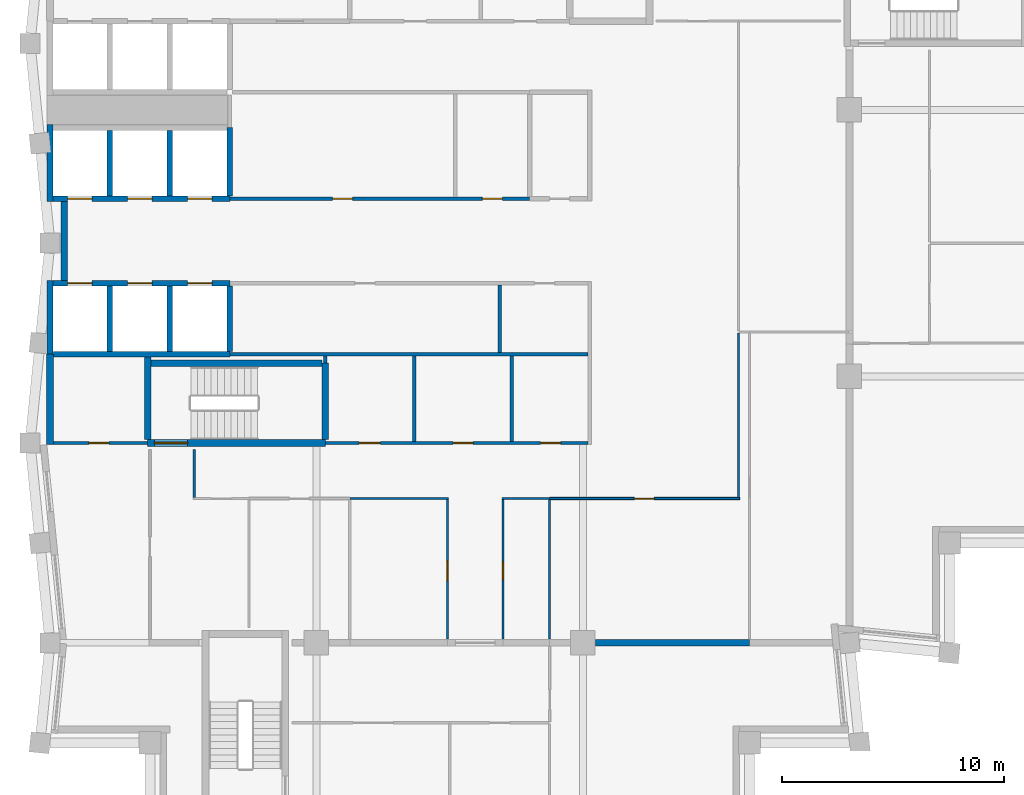
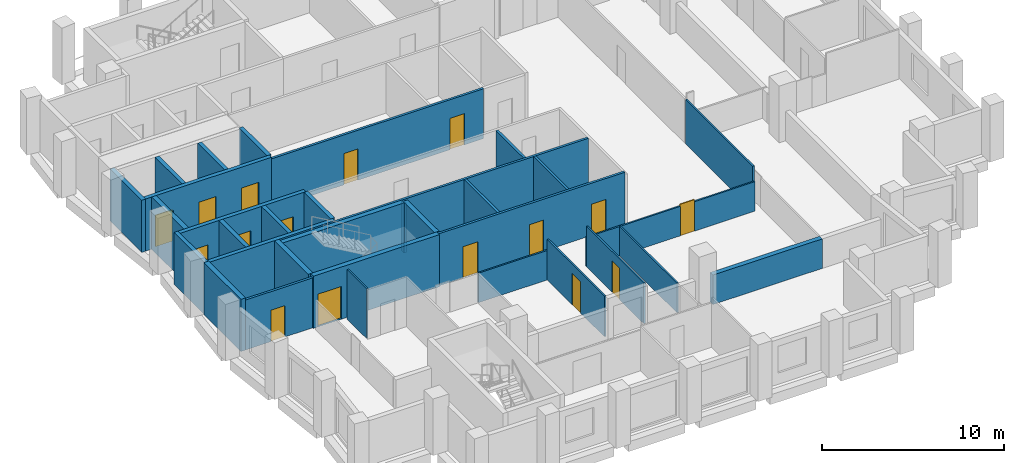
# One storey, part 3 of 7: 34 walls, 16 doors, 16 openings.
"""IFC4 building model written with IfcOpenShell, lengths in metres."""

from ifc_helpers import new_model, si_unit, direction, frame, frame_2d, origin, place, context, subcontext, project, spatial, rectangle, extrude, material, layer, layer_set, type_object, element, fill, save


model = new_model("IFC4")

# Units and contexts
model_context = context("Model", 3, precision=1e-05, world=origin(), true_north=direction((0.0, 1.0)))
body_context = subcontext(model_context, "Body", "Model", "MODEL_VIEW")
ifc_project = project(units=[si_unit("LENGTHUNIT", "METRE"), si_unit("AREAUNIT", "SQUARE_METRE"), si_unit("VOLUMEUNIT", "CUBIC_METRE"), si_unit("PLANEANGLEUNIT", "RADIAN"), si_unit("MASSUNIT", "GRAM", prefix="KILO")], contexts=[model_context])

# Site, building, storey
site_placement = place(None, origin())
site = spatial("IfcSite", under=ifc_project, at=site_placement, CompositionType="ELEMENT")
building_placement = place(site_placement, origin())
building = spatial("IfcBuilding", under=site, at=building_placement, Name="Brondeck Convention Tower", CompositionType="ELEMENT")
storey_placement = place(building_placement, frame((0.0, 0.0, 275.199951171875)))
storey = spatial("IfcBuildingStorey", under=building, at=storey_placement, Name="L68", CompositionType="ELEMENT", Elevation=275.199951171875)

# Wall
ifc_material_1 = material(Name="Concrete compartment wall C30/37", Category="concrete")
ifc_layer_1 = layer(ifc_material_1, 0.300048828125)
ifc_layer_set_1 = layer_set([ifc_layer_1], Name="Compartment wall 300")
wall_type_1 = type_object("IfcWallType", Name="Compartment wall 300", PredefinedType="PARTITIONING", material=ifc_layer_set_1)
wall_1_placement = place(storey_placement, frame((24.554931640625, 27.0, 0.0), z_axis=(0.0, 0.0, 1.0), x_axis=(1.0, 0.0, 0.0)))
element("IfcWall", 1, at=wall_1_placement, inside=storey, type_object=wall_type_1, Name="FLR-L68-W018", PredefinedType="PARTITIONING", context=body_context, shape_type="SweptSolid", body=[
    extrude(rectangle(XDim=6.945068359375, YDim=0.300048828125, at=frame_2d((3.47265625, 0.0))), origin(), (0.0, 0.0, 1.0), 1.97998046875),
])

# Wall, openings, doors
ifc_material_2 = material(Name="Concrete C50/60", Category="concrete")
ifc_layer_2 = layer(ifc_material_2, 0.14990234375)
ifc_layer_set_2 = layer_set([ifc_layer_2], Name="Core beam-seat wall 150 Concrete C50/60")
wall_type_2 = type_object("IfcWallType", Name="Core beam-seat wall 150 Concrete C50/60", PredefinedType="SHEAR", material=ifc_layer_set_2)
wall_2_placement = place(storey_placement, frame((12.39990234375, 36.0, 0.0), z_axis=(0.0, 0.0, 1.0), x_axis=(1.0, 0.0, 0.0)))
wall_2 = element("IfcWall", 2, at=wall_2_placement, inside=storey, type_object=wall_type_2, Name="L68 core wall", PredefinedType="SHEAR", context=body_context, shape_type="SweptSolid", body=[
    extrude(rectangle(XDim=11.8251953125, YDim=0.14990234375, at=frame_2d((5.91259765625, 0.0))), origin(), (0.0, 0.0, 1.0), 3.5),
])
opening_1_placement = place(wall_2_placement, frame((1.52490234375, 0.0, 0.0)))
opening_1 = element("IfcOpeningElement", 3, at=opening_1_placement, cuts=wall_2, Name="Opening C38-03", PredefinedType="OPENING", context=body_context, shape_type="SweptSolid", body=[
    extrude(rectangle(XDim=0.949951171875, YDim=2.10009765625, at=frame_2d((0.47509765625, 1.050048828125))), frame((0.0, 0.0849609375, 0.0), z_axis=(0.0, -1.0, 0.0), x_axis=(1.0, 0.0, 0.0)), (0.0, 0.0, 1.0), 0.169921875),
])
opening_2_placement = place(wall_2_placement, frame((5.75, 0.0, 0.0)))
opening_2 = element("IfcOpeningElement", 4, at=opening_2_placement, cuts=wall_2, Name="Opening C38-04", PredefinedType="OPENING", context=body_context, shape_type="SweptSolid", body=[
    extrude(rectangle(XDim=0.89990234375, YDim=2.10009765625, at=frame_2d((0.449951171875, 1.050048828125))), frame((0.0, 0.0849609375, 0.0), z_axis=(0.0, -1.0, 0.0), x_axis=(1.0, 0.0, 0.0)), (0.0, 0.0, 1.0), 0.169921875),
])
opening_3_placement = place(wall_2_placement, frame((9.699951171875, 0.0, 0.0)))
opening_3 = element("IfcOpeningElement", 5, at=opening_3_placement, cuts=wall_2, Name="Opening C38-05", PredefinedType="OPENING", context=body_context, shape_type="SweptSolid", body=[
    extrude(rectangle(XDim=0.89990234375, YDim=2.10009765625, at=frame_2d((0.449951171875, 1.050048828125))), frame((0.0, 0.0849609375, 0.0), z_axis=(0.0, -1.0, 0.0), x_axis=(1.0, 0.0, 0.0)), (0.0, 0.0, 1.0), 0.169921875),
])
ifc_material_3 = material(Name="Steel fire door", Category="steel")
door_type_1 = type_object("IfcDoorType", Name="Room door 900x2100 EI 60", OperationType="NOTDEFINED", PredefinedType="DOOR", material=ifc_material_3)
door_1_placement = place(opening_2_placement, origin())
door_1 = element("IfcDoor", 6, at=door_1_placement, inside=storey, type_object=door_type_1, Name="L68 Room door FR-2", OperationType="SINGLE_SWING_LEFT", OverallHeight=2.10009765625, OverallWidth=0.89990234375, PredefinedType="DOOR", context=body_context, shape_type="SweptSolid", body=[
    extrude(rectangle(XDim=0.89990234375, YDim=2.10009765625, at=frame_2d((0.449951171875, 1.050048828125))), frame((0.0, 0.02490234375, 0.0), z_axis=(0.0, -1.0, 0.0), x_axis=(1.0, 0.0, 0.0)), (0.0, 0.0, 1.0), 0.050048828125),
])
fill(opening_2, door_1)
door_2_placement = place(opening_3_placement, origin())
door_2 = element("IfcDoor", 7, at=door_2_placement, inside=storey, type_object=door_type_1, Name="L68 Room door FR-3", OperationType="SINGLE_SWING_RIGHT", OverallHeight=2.10009765625, OverallWidth=0.89990234375, PredefinedType="DOOR", context=body_context, shape_type="SweptSolid", body=[
    extrude(rectangle(XDim=0.89990234375, YDim=2.10009765625, at=frame_2d((0.449951171875, 1.050048828125))), frame((0.0, 0.02490234375, 0.0), z_axis=(0.0, -1.0, 0.0), x_axis=(1.0, 0.0, 0.0)), (0.0, 0.0, 1.0), 0.050048828125),
])
fill(opening_3, door_2)
door_type_2 = type_object("IfcDoorType", Name="Room door 950x2100 EI 60", OperationType="NOTDEFINED", PredefinedType="DOOR", material=ifc_material_3)
door_3_placement = place(opening_1_placement, origin())
door_3 = element("IfcDoor", 8, at=door_3_placement, inside=storey, type_object=door_type_2, Name="L68 Room door FR-1", OperationType="SINGLE_SWING_RIGHT", OverallHeight=2.10009765625, OverallWidth=0.949951171875, PredefinedType="DOOR", context=body_context, shape_type="SweptSolid", body=[
    extrude(rectangle(XDim=0.949951171875, YDim=2.10009765625, at=frame_2d((0.47509765625, 1.050048828125))), frame((0.0, 0.02490234375, 0.0), z_axis=(0.0, -1.0, 0.0), x_axis=(1.0, 0.0, 0.0)), (0.0, 0.0, 1.0), 0.050048828125),
])
fill(opening_1, door_3)

# Walls
ifc_layer_3 = layer(ifc_material_2, 0.300048828125)
ifc_layer_set_3 = layer_set([ifc_layer_3], Name="Core outer wall 300 Concrete C50/60")
wall_type_3 = type_object("IfcWallType", Name="Core outer wall 300 Concrete C50/60", PredefinedType="SHEAR", material=ifc_layer_set_3)
wall_3_placement = place(storey_placement, frame((0.0, 35.925048828125, 0.0), z_axis=(0.0, 0.0, 1.0), x_axis=(0.0, 1.0, 0.0)))
element("IfcWall", 9, at=wall_3_placement, inside=storey, type_object=wall_type_3, Name="L68 core wall", PredefinedType="SHEAR", context=body_context, shape_type="SweptSolid", body=[
    extrude(rectangle(XDim=4.074951171875, YDim=0.300048828125, at=frame_2d((2.03759765625, 0.0))), origin(), (0.0, 0.0, 1.0), 3.5),
])
wall_4_placement = place(storey_placement, frame((0.64990234375, 43.324951171875, 0.0), z_axis=(0.0, 0.0, 1.0), x_axis=(0.0, 1.0, 0.0)))
element("IfcWall", 10, at=wall_4_placement, inside=storey, type_object=wall_type_3, Name="L68 core wall", PredefinedType="SHEAR", context=body_context, shape_type="SweptSolid", body=[
    extrude(rectangle(XDim=3.550048828125, YDim=0.300048828125, at=frame_2d((1.77490234375, 0.0))), origin(), (0.0, 0.0, 1.0), 3.5),
])

# Wall, opening, door
ifc_material_4 = material(Name="Fire-rated gypsum board partition")
ifc_layer_4 = layer(ifc_material_4, 0.14990234375)
ifc_layer_set_4 = layer_set([ifc_layer_4], Name="Core partition 150 EI 60")
wall_type_4 = type_object("IfcWallType", Name="Core partition 150 EI 60", PredefinedType="PARTITIONING", material=ifc_layer_set_4)
wall_5_placement = place(storey_placement, frame((0.14990234375, 36.0, 0.0), z_axis=(0.0, 0.0, 1.0), x_axis=(1.0, 0.0, 0.0)))
wall_5 = element("IfcWall", 11, at=wall_5_placement, inside=storey, type_object=wall_type_4, Name="L68 core wall", PredefinedType="PARTITIONING", context=body_context, shape_type="SweptSolid", body=[
    extrude(rectangle(XDim=4.25, YDim=0.14990234375, at=frame_2d((2.125, 0.0))), origin(), (0.0, 0.0, 1.0), 3.35009765625),
])
opening_4_placement = place(wall_5_placement, frame((1.60009765625, 0.0, 0.0)))
opening_4 = element("IfcOpeningElement", 12, at=opening_4_placement, cuts=wall_5, Name="Opening C38-06", PredefinedType="OPENING", context=body_context, shape_type="SweptSolid", body=[
    extrude(rectangle(XDim=0.89990234375, YDim=2.10009765625, at=frame_2d((0.449951171875, 1.050048828125))), frame((0.0, 0.0849609375, 0.0), z_axis=(0.0, -1.0, 0.0), x_axis=(1.0, 0.0, 0.0)), (0.0, 0.0, 1.0), 0.169921875),
])
door_4_placement = place(opening_4_placement, origin())
door_4 = element("IfcDoor", 13, at=door_4_placement, inside=storey, type_object=door_type_1, Name="L68 Room door FRW-1", OperationType="SINGLE_SWING_LEFT", OverallHeight=2.10009765625, OverallWidth=0.89990234375, PredefinedType="DOOR", context=body_context, shape_type="SweptSolid", body=[
    extrude(rectangle(XDim=0.89990234375, YDim=2.10009765625, at=frame_2d((0.449951171875, 1.050048828125))), frame((0.0, 0.02490234375, 0.0), z_axis=(0.0, -1.0, 0.0), x_axis=(1.0, 0.0, 0.0)), (0.0, 0.0, 1.0), 0.050048828125),
])
fill(opening_4, door_4)

# Wall
wall_6_placement = place(storey_placement, frame((8.10009765625, 40.0, 0.0), z_axis=(0.0, 0.0, 1.0), x_axis=(1.0, 0.0, 0.0)))
element("IfcWall", 14, at=wall_6_placement, inside=storey, type_object=wall_type_4, Name="L68 core wall", PredefinedType="PARTITIONING", context=body_context, shape_type="SweptSolid", body=[
    extrude(rectangle(XDim=16.125, YDim=0.14990234375, at=frame_2d((8.0625, 0.0))), origin(), (0.0, 0.0, 1.0), 3.35009765625),
])

# Wall, openings, doors
wall_7_placement = place(storey_placement, frame((8.10009765625, 47.0, 0.0), z_axis=(0.0, 0.0, 1.0), x_axis=(1.0, 0.0, 0.0)))
wall_7 = element("IfcWall", 15, at=wall_7_placement, inside=storey, type_object=wall_type_4, Name="L68 core wall", PredefinedType="PARTITIONING", context=body_context, shape_type="SweptSolid", body=[
    extrude(rectangle(XDim=13.5, YDim=0.14990234375, at=frame_2d((6.75, 0.0))), origin(), (0.0, 0.0, 1.0), 3.35009765625),
])
opening_5_placement = place(wall_7_placement, frame((4.625, 0.0, 0.0)))
opening_5 = element("IfcOpeningElement", 16, at=opening_5_placement, cuts=wall_7, Name="Opening C38-07", PredefinedType="OPENING", context=body_context, shape_type="SweptSolid", body=[
    extrude(rectangle(XDim=0.89990234375, YDim=2.10009765625, at=frame_2d((0.449951171875, 1.050048828125))), frame((0.0, 0.0849609375, 0.0), z_axis=(0.0, -1.0, 0.0), x_axis=(1.0, 0.0, 0.0)), (0.0, 0.0, 1.0), 0.169921875),
])
opening_6_placement = place(wall_7_placement, frame((11.375, 0.0, 0.0)))
opening_6 = element("IfcOpeningElement", 17, at=opening_6_placement, cuts=wall_7, Name="Opening C38-08", PredefinedType="OPENING", context=body_context, shape_type="SweptSolid", body=[
    extrude(rectangle(XDim=0.89990234375, YDim=2.10009765625, at=frame_2d((0.449951171875, 1.050048828125))), frame((0.0, 0.0849609375, 0.0), z_axis=(0.0, -1.0, 0.0), x_axis=(1.0, 0.0, 0.0)), (0.0, 0.0, 1.0), 0.169921875),
])
door_5_placement = place(opening_5_placement, origin())
door_5 = element("IfcDoor", 18, at=door_5_placement, inside=storey, type_object=door_type_1, Name="L68 Room door FZ-N-8.1-1", OperationType="SINGLE_SWING_LEFT", OverallHeight=2.10009765625, OverallWidth=0.89990234375, PredefinedType="DOOR", context=body_context, shape_type="SweptSolid", body=[
    extrude(rectangle(XDim=0.89990234375, YDim=2.10009765625, at=frame_2d((0.449951171875, 1.050048828125))), frame((0.0, 0.02490234375, 0.0), z_axis=(0.0, -1.0, 0.0), x_axis=(1.0, 0.0, 0.0)), (0.0, 0.0, 1.0), 0.050048828125),
])
fill(opening_5, door_5)
door_6_placement = place(opening_6_placement, origin())
door_6 = element("IfcDoor", 19, at=door_6_placement, inside=storey, type_object=door_type_1, Name="L68 Room door FZ-N-8.1-2", OperationType="SINGLE_SWING_RIGHT", OverallHeight=2.10009765625, OverallWidth=0.89990234375, PredefinedType="DOOR", context=body_context, shape_type="SweptSolid", body=[
    extrude(rectangle(XDim=0.89990234375, YDim=2.10009765625, at=frame_2d((0.449951171875, 1.050048828125))), frame((0.0, 0.02490234375, 0.0), z_axis=(0.0, -1.0, 0.0), x_axis=(1.0, 0.0, 0.0)), (0.0, 0.0, 1.0), 0.050048828125),
])
fill(opening_6, door_6)

# Walls
wall_8_placement = place(storey_placement, frame((12.39990234375, 39.60009765625, 0.0), z_axis=(0.0, 0.0, 1.0), x_axis=(0.0, 1.0, 0.0)))
element("IfcWall", 20, at=wall_8_placement, inside=storey, type_object=wall_type_4, Name="L68 core wall", PredefinedType="PARTITIONING", context=body_context, shape_type="SweptSolid", body=[
    extrude(rectangle(XDim=0.324951171875, YDim=0.14990234375, at=frame_2d((0.16259765625, 0.0))), origin(), (0.0, 0.0, 1.0), 3.35009765625),
])
wall_9_placement = place(storey_placement, frame((16.39990234375, 36.074951171875, 0.0), z_axis=(0.0, 0.0, 1.0), x_axis=(0.0, 1.0, 0.0)))
element("IfcWall", 21, at=wall_9_placement, inside=storey, type_object=wall_type_4, Name="L68 core wall", PredefinedType="PARTITIONING", context=body_context, shape_type="SweptSolid", body=[
    extrude(rectangle(XDim=3.85009765625, YDim=0.14990234375, at=frame_2d((1.925048828125, 0.0))), origin(), (0.0, 0.0, 1.0), 3.35009765625),
])
wall_10_placement = place(storey_placement, frame((20.25, 40.074951171875, 0.0), z_axis=(0.0, 0.0, 1.0), x_axis=(0.0, 1.0, 0.0)))
element("IfcWall", 22, at=wall_10_placement, inside=storey, type_object=wall_type_4, Name="L68 core wall", PredefinedType="PARTITIONING", context=body_context, shape_type="SweptSolid", body=[
    extrude(rectangle(XDim=3.050048828125, YDim=0.14990234375, at=frame_2d((1.52490234375, 0.0))), origin(), (0.0, 0.0, 1.0), 3.35009765625),
])
wall_11_placement = place(storey_placement, frame((20.800048828125, 36.074951171875, 0.0), z_axis=(0.0, 0.0, 1.0), x_axis=(0.0, 1.0, 0.0)))
element("IfcWall", 23, at=wall_11_placement, inside=storey, type_object=wall_type_4, Name="L68 core wall", PredefinedType="PARTITIONING", context=body_context, shape_type="SweptSolid", body=[
    extrude(rectangle(XDim=3.85009765625, YDim=0.14990234375, at=frame_2d((1.925048828125, 0.0))), origin(), (0.0, 0.0, 1.0), 3.35009765625),
])
ifc_layer_5 = layer(ifc_material_2, 0.25)
ifc_layer_set_5 = layer_set([ifc_layer_5], Name="Lift shaft wall 250 Concrete C50/60")
wall_type_5 = type_object("IfcWallType", Name="Lift shaft wall 250 Concrete C50/60", PredefinedType="SHEAR", material=ifc_layer_set_5)
wall_12_placement = place(storey_placement, frame((0.14990234375, 40.0, 0.0), z_axis=(0.0, 0.0, 1.0), x_axis=(1.0, 0.0, 0.0)))
element("IfcWall", 24, at=wall_12_placement, inside=storey, type_object=wall_type_5, Name="L68 core wall", PredefinedType="SHEAR", context=body_context, shape_type="SweptSolid", body=[
    extrude(rectangle(XDim=7.9501953125, YDim=0.25, at=frame_2d((3.97509765625, 0.0))), origin(), (0.0, 0.0, 1.0), 3.5),
])

# Wall, openings, doors
wall_13_placement = place(storey_placement, frame((0.125, 43.199951171875, 0.0), z_axis=(0.0, 0.0, 1.0), x_axis=(1.0, 0.0, 0.0)))
wall_13 = element("IfcWall", 25, at=wall_13_placement, inside=storey, type_object=wall_type_5, Name="L68 core wall", PredefinedType="SHEAR", context=body_context, shape_type="SweptSolid", body=[
    extrude(rectangle(XDim=7.97509765625, YDim=0.25, at=frame_2d((3.987548828125, 0.0))), origin(), (0.0, 0.0, 1.0), 3.5),
])
opening_7_placement = place(wall_13_placement, frame((0.675048828125, 0.0, 0.0)))
opening_7 = element("IfcOpeningElement", 26, at=opening_7_placement, cuts=wall_13, Name="Opening C38-21", PredefinedType="OPENING", context=body_context, shape_type="SweptSolid", body=[
    extrude(rectangle(XDim=1.10009765625, YDim=2.10009765625, at=frame_2d((0.550048828125, 1.050048828125))), frame((0.0, 0.135009765625, 0.0), z_axis=(0.0, -1.0, 0.0), x_axis=(1.0, 0.0, 0.0)), (0.0, 0.0, 1.0), 0.27001953125),
])
opening_8_placement = place(wall_13_placement, frame((3.375, 0.0, 0.0)))
opening_8 = element("IfcOpeningElement", 27, at=opening_8_placement, cuts=wall_13, Name="Opening C38-22", PredefinedType="OPENING", context=body_context, shape_type="SweptSolid", body=[
    extrude(rectangle(XDim=1.10009765625, YDim=2.10009765625, at=frame_2d((0.550048828125, 1.050048828125))), frame((0.0, 0.135009765625, 0.0), z_axis=(0.0, -1.0, 0.0), x_axis=(1.0, 0.0, 0.0)), (0.0, 0.0, 1.0), 0.27001953125),
])
opening_9_placement = place(wall_13_placement, frame((6.074951171875, 0.0, 0.0)))
opening_9 = element("IfcOpeningElement", 28, at=opening_9_placement, cuts=wall_13, Name="Opening C38-23", PredefinedType="OPENING", context=body_context, shape_type="SweptSolid", body=[
    extrude(rectangle(XDim=1.10009765625, YDim=2.10009765625, at=frame_2d((0.550048828125, 1.050048828125))), frame((0.0, 0.135009765625, 0.0), z_axis=(0.0, -1.0, 0.0), x_axis=(1.0, 0.0, 0.0)), (0.0, 0.0, 1.0), 0.27001953125),
])
ifc_material_5 = material(Name="Stainless steel lift door", Category="steel")
door_type_3 = type_object("IfcDoorType", Name="Lift landing door 1100x2100 EI 180", OperationType="DOUBLE_DOOR_SLIDING", PredefinedType="DOOR", material=ifc_material_5)
door_7_placement = place(opening_7_placement, origin())
door_7 = element("IfcDoor", 29, at=door_7_placement, inside=storey, type_object=door_type_3, Name="L68 Lift landing door HR1", OperationType="DOUBLE_DOOR_SLIDING", OverallHeight=2.10009765625, OverallWidth=1.10009765625, PredefinedType="DOOR", context=body_context, shape_type="SweptSolid", body=[
    extrude(rectangle(XDim=1.10009765625, YDim=2.10009765625, at=frame_2d((0.550048828125, 1.050048828125))), frame((0.0, 0.02490234375, 0.0), z_axis=(0.0, -1.0, 0.0), x_axis=(1.0, 0.0, 0.0)), (0.0, 0.0, 1.0), 0.050048828125),
])
fill(opening_7, door_7)
door_8_placement = place(opening_8_placement, origin())
door_8 = element("IfcDoor", 30, at=door_8_placement, inside=storey, type_object=door_type_3, Name="L68 Lift landing door HR2", OperationType="DOUBLE_DOOR_SLIDING", OverallHeight=2.10009765625, OverallWidth=1.10009765625, PredefinedType="DOOR", context=body_context, shape_type="SweptSolid", body=[
    extrude(rectangle(XDim=1.10009765625, YDim=2.10009765625, at=frame_2d((0.550048828125, 1.050048828125))), frame((0.0, 0.02490234375, 0.0), z_axis=(0.0, -1.0, 0.0), x_axis=(1.0, 0.0, 0.0)), (0.0, 0.0, 1.0), 0.050048828125),
])
fill(opening_8, door_8)
door_9_placement = place(opening_9_placement, origin())
door_9 = element("IfcDoor", 31, at=door_9_placement, inside=storey, type_object=door_type_3, Name="L68 Lift landing door HR3", OperationType="DOUBLE_DOOR_SLIDING", OverallHeight=2.10009765625, OverallWidth=1.10009765625, PredefinedType="DOOR", context=body_context, shape_type="SweptSolid", body=[
    extrude(rectangle(XDim=1.10009765625, YDim=2.10009765625, at=frame_2d((0.550048828125, 1.050048828125))), frame((0.0, 0.02490234375, 0.0), z_axis=(0.0, -1.0, 0.0), x_axis=(1.0, 0.0, 0.0)), (0.0, 0.0, 1.0), 0.050048828125),
])
fill(opening_9, door_9)

wall_14_placement = place(storey_placement, frame((0.125, 47.0, 0.0), z_axis=(0.0, 0.0, 1.0), x_axis=(1.0, 0.0, 0.0)))
wall_14 = element("IfcWall", 32, at=wall_14_placement, inside=storey, type_object=wall_type_5, Name="L68 core wall", PredefinedType="SHEAR", context=body_context, shape_type="SweptSolid", body=[
    extrude(rectangle(XDim=7.97509765625, YDim=0.25, at=frame_2d((3.987548828125, 0.0))), origin(), (0.0, 0.0, 1.0), 3.5),
])
opening_10_placement = place(wall_14_placement, frame((0.675048828125, 0.0, 0.0)))
opening_10 = element("IfcOpeningElement", 33, at=opening_10_placement, cuts=wall_14, Name="Opening C38-24", PredefinedType="OPENING", context=body_context, shape_type="SweptSolid", body=[
    extrude(rectangle(XDim=1.10009765625, YDim=2.10009765625, at=frame_2d((0.550048828125, 1.050048828125))), frame((0.0, 0.135009765625, 0.0), z_axis=(0.0, -1.0, 0.0), x_axis=(1.0, 0.0, 0.0)), (0.0, 0.0, 1.0), 0.27001953125),
])
opening_11_placement = place(wall_14_placement, frame((3.375, 0.0, 0.0)))
opening_11 = element("IfcOpeningElement", 34, at=opening_11_placement, cuts=wall_14, Name="Opening C38-25", PredefinedType="OPENING", context=body_context, shape_type="SweptSolid", body=[
    extrude(rectangle(XDim=1.10009765625, YDim=2.10009765625, at=frame_2d((0.550048828125, 1.050048828125))), frame((0.0, 0.135009765625, 0.0), z_axis=(0.0, -1.0, 0.0), x_axis=(1.0, 0.0, 0.0)), (0.0, 0.0, 1.0), 0.27001953125),
])
opening_12_placement = place(wall_14_placement, frame((6.074951171875, 0.0, 0.0)))
opening_12 = element("IfcOpeningElement", 35, at=opening_12_placement, cuts=wall_14, Name="Opening C38-26", PredefinedType="OPENING", context=body_context, shape_type="SweptSolid", body=[
    extrude(rectangle(XDim=1.10009765625, YDim=2.10009765625, at=frame_2d((0.550048828125, 1.050048828125))), frame((0.0, 0.135009765625, 0.0), z_axis=(0.0, -1.0, 0.0), x_axis=(1.0, 0.0, 0.0)), (0.0, 0.0, 1.0), 0.27001953125),
])
door_10_placement = place(opening_10_placement, origin())
door_10 = element("IfcDoor", 36, at=door_10_placement, inside=storey, type_object=door_type_3, Name="L68 Lift landing door HR4", OperationType="DOUBLE_DOOR_SLIDING", OverallHeight=2.10009765625, OverallWidth=1.10009765625, PredefinedType="DOOR", context=body_context, shape_type="SweptSolid", body=[
    extrude(rectangle(XDim=1.10009765625, YDim=2.10009765625, at=frame_2d((0.550048828125, 1.050048828125))), frame((0.0, 0.02490234375, 0.0), z_axis=(0.0, -1.0, 0.0), x_axis=(1.0, 0.0, 0.0)), (0.0, 0.0, 1.0), 0.050048828125),
])
fill(opening_10, door_10)
door_11_placement = place(opening_11_placement, origin())
door_11 = element("IfcDoor", 37, at=door_11_placement, inside=storey, type_object=door_type_3, Name="L68 Lift landing door HR5", OperationType="DOUBLE_DOOR_SLIDING", OverallHeight=2.10009765625, OverallWidth=1.10009765625, PredefinedType="DOOR", context=body_context, shape_type="SweptSolid", body=[
    extrude(rectangle(XDim=1.10009765625, YDim=2.10009765625, at=frame_2d((0.550048828125, 1.050048828125))), frame((0.0, 0.02490234375, 0.0), z_axis=(0.0, -1.0, 0.0), x_axis=(1.0, 0.0, 0.0)), (0.0, 0.0, 1.0), 0.050048828125),
])
fill(opening_11, door_11)
door_12_placement = place(opening_12_placement, origin())
door_12 = element("IfcDoor", 38, at=door_12_placement, inside=storey, type_object=door_type_3, Name="L68 Lift landing door HR6", OperationType="DOUBLE_DOOR_SLIDING", OverallHeight=2.10009765625, OverallWidth=1.10009765625, PredefinedType="DOOR", context=body_context, shape_type="SweptSolid", body=[
    extrude(rectangle(XDim=1.10009765625, YDim=2.10009765625, at=frame_2d((0.550048828125, 1.050048828125))), frame((0.0, 0.02490234375, 0.0), z_axis=(0.0, -1.0, 0.0), x_axis=(1.0, 0.0, 0.0)), (0.0, 0.0, 1.0), 0.050048828125),
])
fill(opening_12, door_12)

# Walls
wall_15_placement = place(storey_placement, frame((0.0, 40.0, 0.0), z_axis=(0.0, 0.0, 1.0), x_axis=(0.0, 1.0, 0.0)))
element("IfcWall", 39, at=wall_15_placement, inside=storey, type_object=wall_type_5, Name="L68 core wall", PredefinedType="SHEAR", context=body_context, shape_type="SweptSolid", body=[
    extrude(rectangle(XDim=3.324951171875, YDim=0.25, at=frame_2d((1.66259765625, 0.0))), origin(), (0.0, 0.0, 1.0), 3.5),
])
wall_16_placement = place(storey_placement, frame((0.0, 46.875, 0.0), z_axis=(0.0, 0.0, 1.0), x_axis=(0.0, 1.0, 0.0)))
element("IfcWall", 40, at=wall_16_placement, inside=storey, type_object=wall_type_5, Name="L68 core wall", PredefinedType="SHEAR", context=body_context, shape_type="SweptSolid", body=[
    extrude(rectangle(XDim=3.47509765625, YDim=0.25, at=frame_2d((1.737548828125, 0.0))), origin(), (0.0, 0.0, 1.0), 3.5),
])
for number, where, z_axis, x_axis, name in (
    (41, (2.699951171875, 40.125, 0.0), (0.0, 0.0, 1.0), (0.0, 1.0, 0.0), "L68 core wall"),
    (42, (2.699951171875, 47.125, 0.0), (0.0, 0.0, 1.0), (0.0, 1.0, 0.0), "L68 core wall"),
    (43, (5.39990234375, 40.125, 0.0), (0.0, 0.0, 1.0), (0.0, 1.0, 0.0), "L68 core wall"),
    (44, (5.39990234375, 47.125, 0.0), (0.0, 0.0, 1.0), (0.0, 1.0, 0.0), "L68 core wall"),
    (45, (8.10009765625, 40.125, 0.0), (0.0, 0.0, 1.0), (0.0, 1.0, 0.0), "L68 core wall"),
):
    element("IfcWall", number, at=place(storey_placement, frame(where, z_axis=z_axis, x_axis=x_axis)), inside=storey, type_object=wall_type_5, Name=name, PredefinedType="SHEAR", context=body_context, shape_type="SweptSolid", body=[
        extrude(rectangle(XDim=2.949951171875, YDim=0.25, at=frame_2d((1.47509765625, 0.0))), origin(), (0.0, 0.0, 1.0), 3.5),
    ])
wall_17_placement = place(storey_placement, frame((8.10009765625, 47.125, 0.0), z_axis=(0.0, 0.0, 1.0), x_axis=(0.0, 1.0, 0.0)))
element("IfcWall", 46, at=wall_17_placement, inside=storey, type_object=wall_type_5, Name="L68 core wall", PredefinedType="SHEAR", context=body_context, shape_type="SweptSolid", body=[
    extrude(rectangle(XDim=3.074951171875, YDim=0.25, at=frame_2d((1.53759765625, 0.0))), origin(), (0.0, 0.0, 1.0), 3.5),
])

# Wall, opening, door
ifc_material_6 = material(Name="Gypsum board partition on steel studs", Category="steel")
ifc_layer_6 = layer(ifc_material_6, 0.10009765625)
ifc_layer_set_6 = layer_set([ifc_layer_6], Name="Room partition 100")
wall_type_6 = type_object("IfcWallType", Name="Room partition 100", PredefinedType="PARTITIONING", material=ifc_layer_set_6)
wall_18_placement = place(storey_placement, frame((17.89990234375, 27.169921875, 0.0), z_axis=(0.0, 0.0, 1.0), x_axis=(0.0, 1.0, 0.0)))
wall_18 = element("IfcWall", 47, at=wall_18_placement, inside=storey, type_object=wall_type_6, Name="FLR-L68-W021", PredefinedType="PARTITIONING", context=body_context, shape_type="SweptSolid", body=[
    extrude(rectangle(XDim=6.280029296875, YDim=0.10009765625, at=frame_2d((3.14013671875, 0.0))), origin(), (0.0, 0.0, 1.0), 2.72998046875),
])
opening_13_placement = place(wall_18_placement, frame((2.6298828125, 0.0, 0.0)))
opening_13 = element("IfcOpeningElement", 48, at=opening_13_placement, cuts=wall_18, Name="Opening EX-D-014", PredefinedType="OPENING", context=body_context, shape_type="SweptSolid", body=[
    extrude(rectangle(XDim=0.89990234375, YDim=2.10009765625, at=frame_2d((0.449951171875, 1.050048828125))), frame((0.0, 0.06005859375, 0.0), z_axis=(0.0, -1.0, 0.0), x_axis=(1.0, 0.0, 0.0)), (0.0, 0.0, 1.0), 0.1201171875),
])
ifc_material_7 = material(Name="Solid timber door leaf", Category="wood")
door_type_4 = type_object("IfcDoorType", Name="Single door 900", OperationType="NOTDEFINED", PredefinedType="DOOR", material=ifc_material_7)
door_13_placement = place(opening_13_placement, origin())
door_13 = element("IfcDoor", 49, at=door_13_placement, inside=storey, type_object=door_type_4, Name="Door EX-D-014", OperationType="SINGLE_SWING_RIGHT", OverallHeight=2.10009765625, OverallWidth=0.89990234375, PredefinedType="DOOR", context=body_context, shape_type="SweptSolid", body=[
    extrude(rectangle(XDim=0.89990234375, YDim=2.10009765625, at=frame_2d((0.449951171875, 1.050048828125))), frame((0.0, 0.02490234375, 0.0), z_axis=(0.0, -1.0, 0.0), x_axis=(1.0, 0.0, 0.0)), (0.0, 0.0, 1.0), 0.050048828125),
])
fill(opening_13, door_13)

wall_19_placement = place(storey_placement, frame((20.39990234375, 33.449951171875, 0.0), z_axis=(0.0, 0.0, 1.0), x_axis=(0.0, -1.0, 0.0)))
wall_19 = element("IfcWall", 50, at=wall_19_placement, inside=storey, type_object=wall_type_6, Name="FLR-L68-W027", PredefinedType="PARTITIONING", context=body_context, shape_type="SweptSolid", body=[
    extrude(rectangle(XDim=6.280029296875, YDim=0.10009765625, at=frame_2d((3.14013671875, 0.0))), origin(), (0.0, 0.0, 1.0), 2.72998046875),
])
opening_14_placement = place(wall_19_placement, frame((2.800048828125, 0.0, 0.0)))
opening_14 = element("IfcOpeningElement", 51, at=opening_14_placement, cuts=wall_19, Name="Opening EX-D-015", PredefinedType="OPENING", context=body_context, shape_type="SweptSolid", body=[
    extrude(rectangle(XDim=0.800048828125, YDim=2.10009765625, at=frame_2d((0.39990234375, 1.050048828125))), frame((0.0, 0.06005859375, 0.0), z_axis=(0.0, -1.0, 0.0), x_axis=(1.0, 0.0, 0.0)), (0.0, 0.0, 1.0), 0.1201171875),
])
door_type_5 = type_object("IfcDoorType", Name="En-suite door 800", OperationType="NOTDEFINED", PredefinedType="DOOR", material=ifc_material_7)
door_14_placement = place(opening_14_placement, origin())
door_14 = element("IfcDoor", 52, at=door_14_placement, inside=storey, type_object=door_type_5, Name="Door EX-D-015", OperationType="SINGLE_SWING_LEFT", OverallHeight=2.10009765625, OverallWidth=0.800048828125, PredefinedType="DOOR", context=body_context, shape_type="SweptSolid", body=[
    extrude(rectangle(XDim=0.800048828125, YDim=2.10009765625, at=frame_2d((0.39990234375, 1.050048828125))), frame((0.0, 0.02490234375, 0.0), z_axis=(0.0, -1.0, 0.0), x_axis=(1.0, 0.0, 0.0)), (0.0, 0.0, 1.0), 0.050048828125),
])
fill(opening_14, door_14)

# Walls
wall_20_placement = place(storey_placement, frame((22.5, 33.449951171875, 0.0), z_axis=(0.0, 0.0, 1.0), x_axis=(0.0, -1.0, 0.0)))
element("IfcWall", 53, at=wall_20_placement, inside=storey, type_object=wall_type_6, Name="FLR-L68-W028", PredefinedType="PARTITIONING", context=body_context, shape_type="SweptSolid", body=[
    extrude(rectangle(XDim=6.280029296875, YDim=0.10009765625, at=frame_2d((3.14013671875, 0.0))), origin(), (0.0, 0.0, 1.0), 1.97998046875),
])
wall_21_placement = place(storey_placement, frame((17.949951171875, 33.5, 0.0), z_axis=(0.0, 0.0, 1.0), x_axis=(-1.0, 0.0, 0.0)))
element("IfcWall", 54, at=wall_21_placement, inside=storey, type_object=wall_type_6, Name="FLR-L68-W031", PredefinedType="PARTITIONING", context=body_context, shape_type="SweptSolid", body=[
    extrude(rectangle(XDim=4.449951171875, YDim=0.10009765625, at=frame_2d((2.22509765625, 0.0))), origin(), (0.0, 0.0, 1.0), 1.97998046875),
])
wall_22_placement = place(storey_placement, frame((22.5, 33.5, 0.0), z_axis=(0.0, 0.0, 1.0), x_axis=(-1.0, 0.0, 0.0)))
element("IfcWall", 55, at=wall_22_placement, inside=storey, type_object=wall_type_6, Name="FLR-L68-W032", PredefinedType="PARTITIONING", context=body_context, shape_type="SweptSolid", body=[
    extrude(rectangle(XDim=2.14990234375, YDim=0.10009765625, at=frame_2d((1.074951171875, 0.0))), origin(), (0.0, 0.0, 1.0), 1.97998046875),
])

# Wall, opening, door
wall_23_placement = place(storey_placement, frame((31.050048828125, 33.5, 0.0), z_axis=(0.0, 0.0, 1.0), x_axis=(-1.0, 0.0, 0.0)))
wall_23 = element("IfcWall", 56, at=wall_23_placement, inside=storey, type_object=wall_type_6, Name="FLR-L68-W033", PredefinedType="PARTITIONING", context=body_context, shape_type="SweptSolid", body=[
    extrude(rectangle(XDim=8.550048828125, YDim=0.10009765625, at=frame_2d((4.27490234375, 0.0))), origin(), (0.0, 0.0, 1.0), 1.97998046875),
])
opening_15_placement = place(wall_23_placement, frame((3.85009765625, 0.0, 0.0)))
opening_15 = element("IfcOpeningElement", 57, at=opening_15_placement, cuts=wall_23, Name="Opening EX-D-016", PredefinedType="OPENING", context=body_context, shape_type="SweptSolid", body=[
    extrude(rectangle(XDim=0.89990234375, YDim=2.10009765625, at=frame_2d((0.449951171875, 1.050048828125))), frame((0.0, 0.06005859375, 0.0), z_axis=(0.0, -1.0, 0.0), x_axis=(1.0, 0.0, 0.0)), (0.0, 0.0, 1.0), 0.1201171875),
])
door_15_placement = place(opening_15_placement, origin())
door_15 = element("IfcDoor", 58, at=door_15_placement, inside=storey, type_object=door_type_4, Name="Door EX-D-016", OperationType="SINGLE_SWING_LEFT", OverallHeight=2.10009765625, OverallWidth=0.89990234375, PredefinedType="DOOR", context=body_context, shape_type="SweptSolid", body=[
    extrude(rectangle(XDim=0.89990234375, YDim=2.10009765625, at=frame_2d((0.449951171875, 1.050048828125))), frame((0.0, 0.02490234375, 0.0), z_axis=(0.0, -1.0, 0.0), x_axis=(1.0, 0.0, 0.0)), (0.0, 0.0, 1.0), 0.050048828125),
])
fill(opening_15, door_15)

# Walls
wall_24_placement = place(storey_placement, frame((6.5, 33.550048828125, 0.0), z_axis=(0.0, 0.0, 1.0), x_axis=(0.0, 1.0, 0.0)))
element("IfcWall", 59, at=wall_24_placement, inside=storey, type_object=wall_type_6, Name="FLR-L68-W034", PredefinedType="PARTITIONING", context=body_context, shape_type="SweptSolid", body=[
    extrude(rectangle(XDim=2.14990234375, YDim=0.10009765625, at=frame_2d((1.074951171875, 0.0))), origin(), (0.0, 0.0, 1.0), 3.330078125),
])
wall_25_placement = place(storey_placement, frame((31.0, 40.949951171875, 0.0), z_axis=(0.0, 0.0, 1.0), x_axis=(0.0, -1.0, 0.0)))
element("IfcWall", 60, at=wall_25_placement, inside=storey, type_object=wall_type_6, Name="FLR-L68-W039", PredefinedType="PARTITIONING", context=body_context, shape_type="SweptSolid", body=[
    extrude(rectangle(XDim=7.39990234375, YDim=0.10009765625, at=frame_2d((3.699951171875, 0.0))), origin(), (0.0, 0.0, 1.0), 2.97998046875),
])

# Wall, opening, door
ifc_layer_7 = layer(ifc_material_2, 0.300048828125)
ifc_layer_set_7 = layer_set([ifc_layer_7], Name="Stair enclosure wall 300 Concrete C50/60")
wall_type_7 = type_object("IfcWallType", Name="Stair enclosure wall 300 Concrete C50/60", PredefinedType="SHEAR", material=ifc_layer_set_7)
wall_26_placement = place(storey_placement, frame((4.39990234375, 36.0, 0.0), z_axis=(0.0, 0.0, 1.0), x_axis=(1.0, 0.0, 0.0)))
wall_26 = element("IfcWall", 61, at=wall_26_placement, inside=storey, type_object=wall_type_7, Name="L68 core wall", PredefinedType="SHEAR", context=body_context, shape_type="SweptSolid", body=[
    extrude(rectangle(XDim=8.0, YDim=0.300048828125, at=frame_2d((4.0, 0.0))), origin(), (0.0, 0.0, 1.0), 3.5),
])
opening_16_placement = place(wall_26_placement, frame((0.300048828125, 0.0, 0.0)))
opening_16 = element("IfcOpeningElement", 62, at=opening_16_placement, cuts=wall_26, Name="Opening C38-13", PredefinedType="OPENING", context=body_context, shape_type="SweptSolid", body=[
    extrude(rectangle(XDim=1.5, YDim=2.199951171875, at=frame_2d((0.75, 1.10009765625))), frame((0.0, 0.159912109375, 0.0), z_axis=(0.0, -1.0, 0.0), x_axis=(1.0, 0.0, 0.0)), (0.0, 0.0, 1.0), 0.320068359375),
])
door_type_6 = type_object("IfcDoorType", Name="Stair door 1500x2200 EI 90", OperationType="NOTDEFINED", PredefinedType="DOOR", material=ifc_material_3)
door_16_placement = place(opening_16_placement, origin())
door_16 = element("IfcDoor", 63, at=door_16_placement, inside=storey, type_object=door_type_6, Name="L68 Stair door ST-1", OperationType="SINGLE_SWING_RIGHT", OverallHeight=2.199951171875, OverallWidth=1.5, PredefinedType="DOOR", context=body_context, shape_type="SweptSolid", body=[
    extrude(rectangle(XDim=1.5, YDim=2.199951171875, at=frame_2d((0.75, 1.10009765625))), frame((0.0, 0.02490234375, 0.0), z_axis=(0.0, -1.0, 0.0), x_axis=(1.0, 0.0, 0.0)), (0.0, 0.0, 1.0), 0.050048828125),
])
fill(opening_16, door_16)

# Walls
wall_27_placement = place(storey_placement, frame((4.550048828125, 39.60009765625, 0.0), z_axis=(0.0, 0.0, 1.0), x_axis=(1.0, 0.0, 0.0)))
element("IfcWall", 64, at=wall_27_placement, inside=storey, type_object=wall_type_7, Name="L68 core wall", PredefinedType="SHEAR", context=body_context, shape_type="SweptSolid", body=[
    extrude(rectangle(XDim=7.699951171875, YDim=0.300048828125, at=frame_2d((3.85009765625, 0.0))), origin(), (0.0, 0.0, 1.0), 3.5),
])
wall_28_placement = place(storey_placement, frame((4.39990234375, 36.14990234375, 0.0), z_axis=(0.0, 0.0, 1.0), x_axis=(0.0, 1.0, 0.0)))
element("IfcWall", 65, at=wall_28_placement, inside=storey, type_object=wall_type_7, Name="L68 core wall", PredefinedType="SHEAR", context=body_context, shape_type="SweptSolid", body=[
    extrude(rectangle(XDim=3.72509765625, YDim=0.300048828125, at=frame_2d((1.862548828125, 0.0))), origin(), (0.0, 0.0, 1.0), 3.5),
])
wall_29_placement = place(storey_placement, frame((12.39990234375, 36.14990234375, 0.0), z_axis=(0.0, 0.0, 1.0), x_axis=(0.0, 1.0, 0.0)))
element("IfcWall", 66, at=wall_29_placement, inside=storey, type_object=wall_type_7, Name="L68 core wall", PredefinedType="SHEAR", context=body_context, shape_type="SweptSolid", body=[
    extrude(rectangle(XDim=3.4501953125, YDim=0.300048828125, at=frame_2d((1.72509765625, 0.0))), origin(), (0.0, 0.0, 1.0), 3.5),
])

save(model, "model.ifc")
